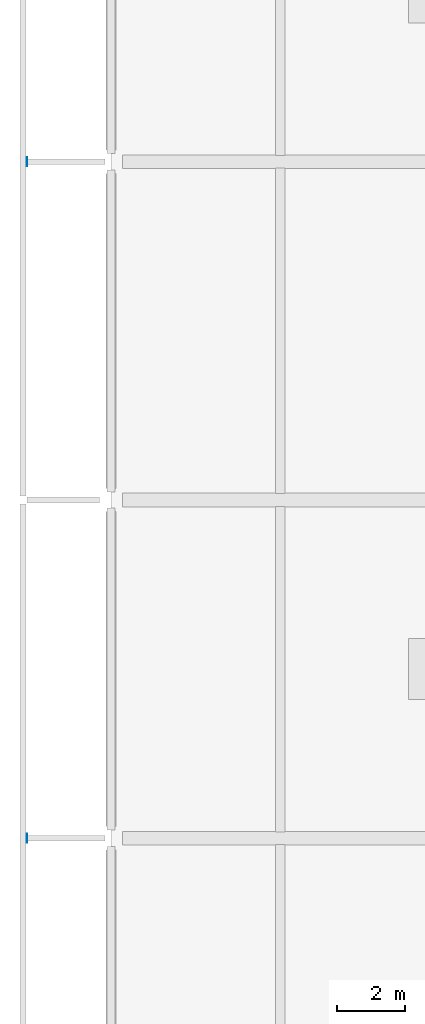
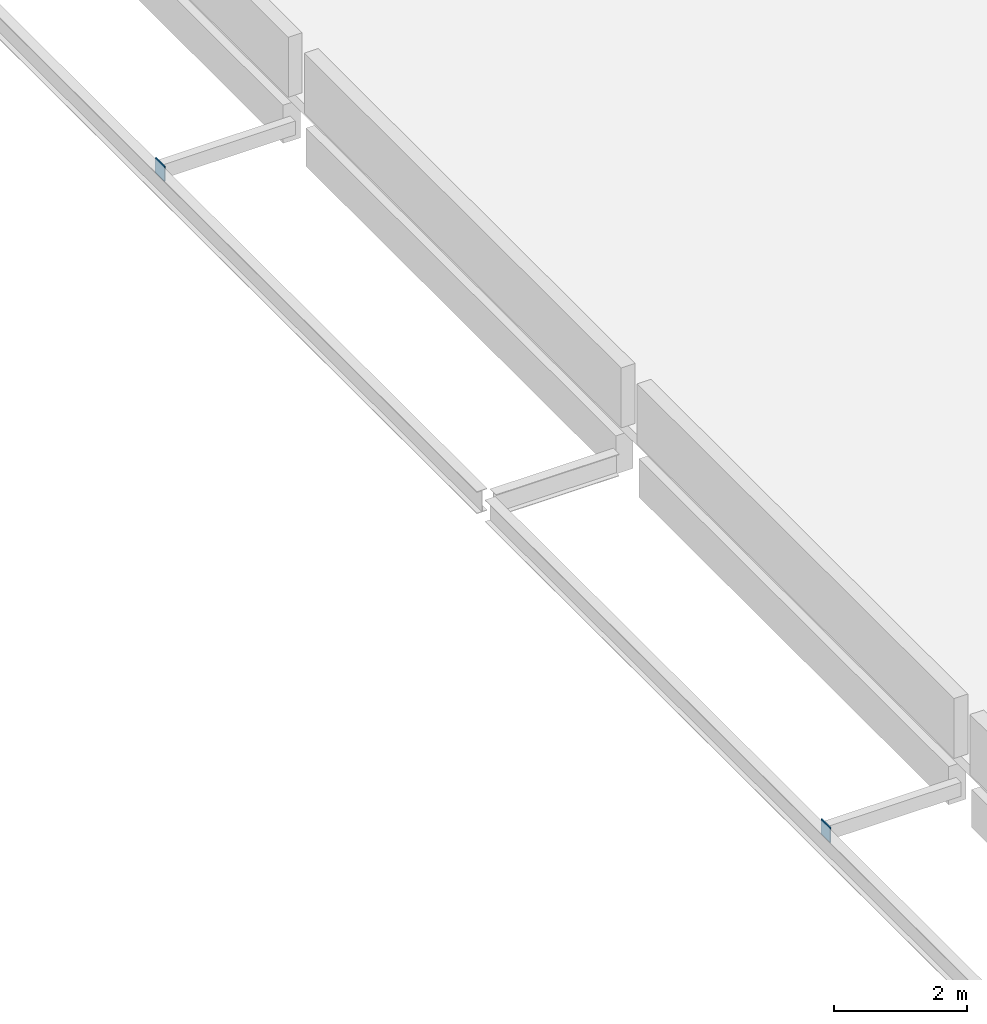
# One storey, part 110 of 179: 2 plates.
"""IFC4 building model written with IfcOpenShell, lengths in metres."""

from ifc_helpers import new_model, si_unit, direction, frame, origin, origin_2d, place, context, subcontext, project, spatial, rectangle, extrude, material, layer, layer_set, type_object, element, save


model = new_model("IFC4")

# Units and contexts
model_context = context("Model", 3, precision=1e-05, world=origin(), true_north=direction((0.0, 1.0)))
body_context = subcontext(model_context, "Body", "Model", "MODEL_VIEW")
ifc_project = project(units=[si_unit("LENGTHUNIT", "METRE"), si_unit("AREAUNIT", "SQUARE_METRE"), si_unit("VOLUMEUNIT", "CUBIC_METRE"), si_unit("PLANEANGLEUNIT", "RADIAN"), si_unit("MASSUNIT", "GRAM", prefix="KILO")], contexts=[model_context])

# Site, building, storey
site_placement = place(None, origin())
site = spatial("IfcSite", under=ifc_project, at=site_placement, CompositionType="ELEMENT")
building_placement = place(site_placement, origin())
building = spatial("IfcBuilding", under=site, at=building_placement, Name="Corvandel Quay Wholesale Market", CompositionType="ELEMENT")
storey_placement = place(building_placement, frame((0.0, 0.0, 6.0)))
storey = spatial("IfcBuildingStorey", under=building, at=storey_placement, Name="L01", CompositionType="ELEMENT", Elevation=6.0)

# Plates
ifc_material = material(Name="Steel A572 Grade 50", Category="steel")
ifc_layer = layer(ifc_material, 0.02001953125)
ifc_layer_set = layer_set([ifc_layer], Name="Steel A572 Grade 50")
plate_type = type_object("IfcPlateType", Name="Steel HSS End Cap Plate PLT01 20mm", PredefinedType="SHEET", material=ifc_layer_set)
for number, where, z_axis, x_axis, name in (
    (1, (-2.47802734375, 20.0, -0.487060546875), (0.0, 0.0, 1.0), (0.0, 1.0, 0.0), "HSS Cap Plate PLT-0123"),
    (2, (-2.47802734375, 40.0, -0.487060546875), (0.0, 0.0, 1.0), (0.0, 1.0, 0.0), "HSS Cap Plate PLT-0124"),
):
    element("IfcPlate", number, at=place(storey_placement, frame(where, z_axis=z_axis, x_axis=x_axis)), inside=storey, type_object=plate_type, Name=name, PredefinedType="SHEET", context=body_context, shape_type="SweptSolid", body=[
        extrude(rectangle(XDim=0.27392578125, YDim=0.02001953125, at=origin_2d()), origin(), (0.0, 0.0, 1.0), 0.27392578125),
    ])

save(model, "model.ifc")
